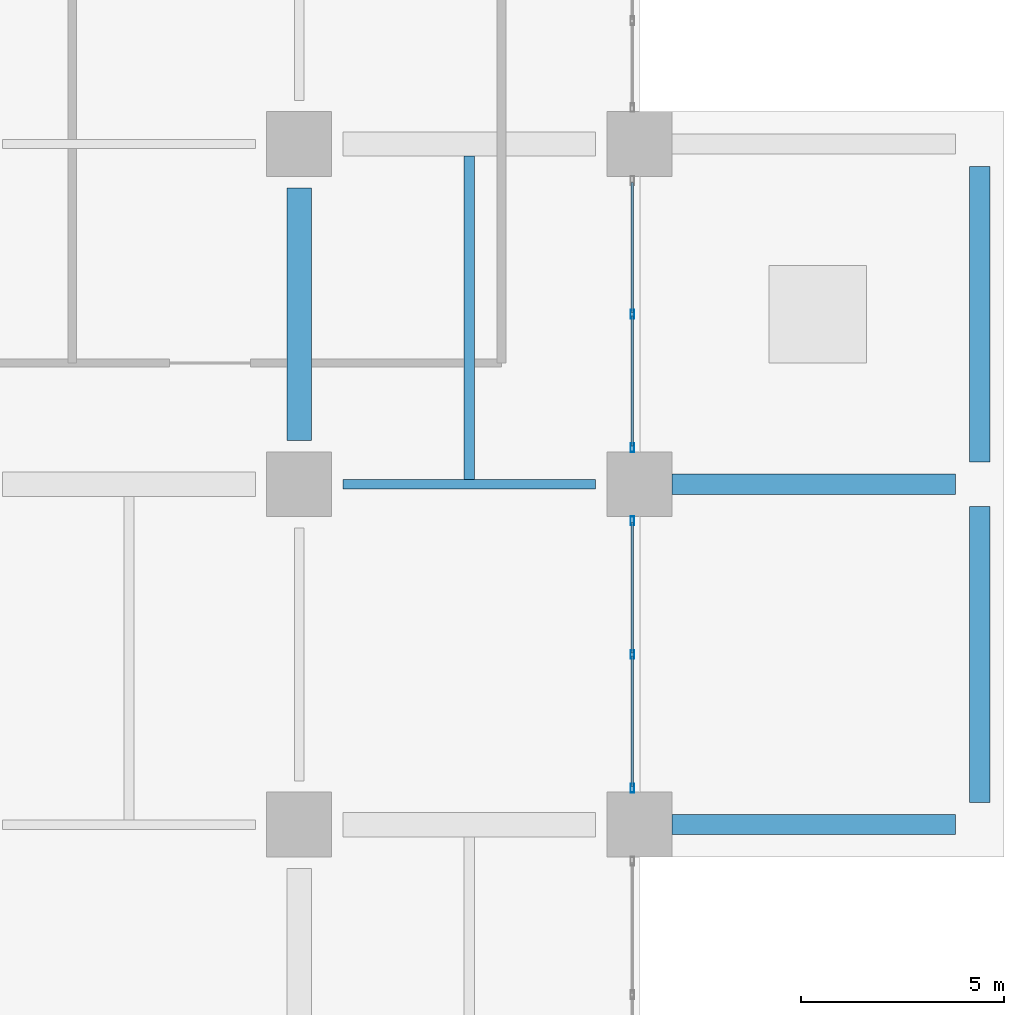
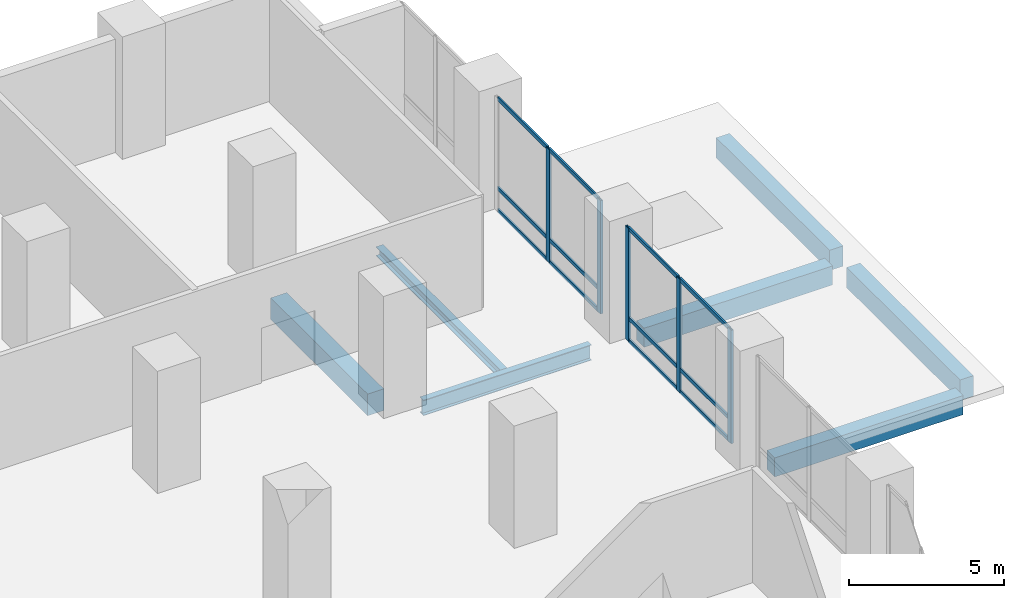
# One storey, part 5 of 22: 17 members, 7 beams, 2 elements without a shape of their own.
"""IFC4 building model written with IfcOpenShell, lengths in metres."""

from ifc_helpers import new_model, si_unit, direction, frame, origin, origin_2d, place, context, subcontext, project, spatial, rectangle, hollow_rectangle, i_section, extrude, material, layer, layer_set, material_profile, profile_set, type_object, element, aggregate, save


model = new_model("IFC4")

# Units and contexts
model_context = context("Model", 3, precision=1e-05, world=origin(), true_north=direction((0.0, 1.0)))
body_context = subcontext(model_context, "Body", "Model", "MODEL_VIEW")
ifc_project = project(units=[si_unit("LENGTHUNIT", "METRE"), si_unit("AREAUNIT", "SQUARE_METRE"), si_unit("VOLUMEUNIT", "CUBIC_METRE"), si_unit("PLANEANGLEUNIT", "RADIAN"), si_unit("MASSUNIT", "GRAM", prefix="KILO")], contexts=[model_context])

# Site, building, storey
site_placement = place(None, origin())
site = spatial("IfcSite", under=ifc_project, at=site_placement, CompositionType="ELEMENT")
building_placement = place(site_placement, origin())
building = spatial("IfcBuilding", under=site, at=building_placement, Name="Koriwani Terraces Tower", CompositionType="ELEMENT")
storey_placement = place(building_placement, frame((0.0, 0.0, 6.0)))
storey = spatial("IfcBuildingStorey", under=building, at=storey_placement, Name="L01", CompositionType="ELEMENT", Elevation=6.0)

# Beams
ifc_material_1 = material(Name="Concrete C50/60", Category="concrete")
ifc_material_profile_1 = material_profile(ifc_material_1, rectangle(XDim=0.5, YDim=0.75, at=origin_2d()), Name="Concrete C50/60", Category="LoadBearing")
ifc_profile_set_1 = profile_set([ifc_material_profile_1], Name="Concrete C50/60")
beam_type_1 = type_object("IfcBeamType", Name="BEAM_RC_GRID_500X750", PredefinedType="BEAM", material=ifc_profile_set_1)
for number, where, z_axis, x_axis, name in (
    (1, (93.199951171875, 16.800048828125, -0.655029296875), (1.0, 0.0, 0.0), (0.0, 1.0, 0.0), "Porte-Cochere Tie Beam 1"),
    (2, (93.199951171875, 25.199951171875, -0.655029296875), (1.0, 0.0, 0.0), (0.0, 1.0, 0.0), "Porte-Cochere Tie Beam 2"),
):
    element("IfcBeam", number, at=place(storey_placement, frame(where, z_axis=z_axis, x_axis=x_axis)), inside=storey, type_object=beam_type_1, Name=name, PredefinedType="BEAM", context=body_context, shape_type="SweptSolid", body=[
        extrude(rectangle(XDim=0.5, YDim=0.75, at=origin_2d()), origin(), (0.0, 0.0, 1.0), 7.0),
    ])
ifc_material_2 = material(Name="Concrete C60/75", Category="concrete")
ifc_material_profile_2 = material_profile(ifc_material_2, rectangle(XDim=0.60009765625, YDim=0.85009765625, at=origin_2d()), Name="Concrete C60/75", Category="LoadBearing")
ifc_profile_set_2 = profile_set([ifc_material_profile_2], Name="Concrete C60/75")
beam_type_2 = type_object("IfcBeamType", Name="BEAM_RC_GRID_600X850", PredefinedType="BEAM", material=ifc_profile_set_2)
beam_1_placement = place(storey_placement, frame((84.0, 26.280029296875, -0.77490234375), z_axis=(0.0, 1.0, 0.0), x_axis=(-1.0, 0.0, 0.0)))
element("IfcBeam", 3, at=beam_1_placement, inside=storey, type_object=beam_type_2, Name="L01 Grid Beam 11 (25.2-33.6m)", PredefinedType="BEAM", context=body_context, shape_type="SweptSolid", body=[
    extrude(rectangle(XDim=0.60009765625, YDim=0.85009765625, at=origin_2d()), origin(), (0.0, 0.0, 1.0), 6.239990234375),
])
ifc_material_profile_3 = material_profile(ifc_material_1, rectangle(XDim=0.5, YDim=0.800048828125, at=origin_2d()), Name="Concrete C50/60", Category="LoadBearing")
ifc_profile_set_3 = profile_set([ifc_material_profile_3], Name="Concrete C50/60")
beam_type_3 = type_object("IfcBeamType", Name="BEAM_RC_SPANDREL_500X800", PredefinedType="SPANDREL", material=ifc_profile_set_3)
beam_2_placement = place(storey_placement, frame((100.800048828125, 17.35009765625, -0.679931640625), z_axis=(0.0, 1.0, 0.0), x_axis=(-1.0, 0.0, 0.0)))
element("IfcBeam", 4, at=beam_2_placement, inside=storey, type_object=beam_type_3, Name="Porte-Cochere Canopy Edge Beam (16.8-25.2)", PredefinedType="SPANDREL", context=body_context, shape_type="SweptSolid", body=[
    extrude(rectangle(XDim=0.5, YDim=0.800048828125, at=origin_2d()), origin(), (0.0, 0.0, 1.0), 7.2998046875),
])
beam_3_placement = place(storey_placement, frame((100.800048828125, 25.75, -0.679931640625), z_axis=(0.0, 1.0, 0.0), x_axis=(-1.0, 0.0, 0.0)))
element("IfcBeam", 5, at=beam_3_placement, inside=storey, type_object=beam_type_3, Name="Porte-Cochere Canopy Edge Beam (25.2-33.6)", PredefinedType="SPANDREL", context=body_context, shape_type="SweptSolid", body=[
    extrude(rectangle(XDim=0.5, YDim=0.800048828125, at=origin_2d()), origin(), (0.0, 0.0, 1.0), 7.300048828125),
])

# Curtain wall, members
ifc_material_3 = material(Name="Anodised Bronze Aluminium", Category="aluminium")
ifc_layer = layer(ifc_material_3, 0.199951171875, Name="Anodised Bronze Aluminium")
ifc_layer_set = layer_set([ifc_layer], Name="Anodised Bronze Aluminium")
curtain_wall_type = type_object("IfcCurtainWallType", Name="CW_PODIUM_GALLERIA", PredefinedType="NOTDEFINED", material=ifc_layer_set)
curtain_wall_1_placement = place(storey_placement, origin())
curtain_wall_1 = element("IfcCurtainWall", 6, at=curtain_wall_1_placement, inside=storey, type_object=curtain_wall_type, Name="L01 Unitised Curtain Wall (E_TIP) Bay 2", PredefinedType="NOTDEFINED")
ifc_material_profile_4 = material_profile(ifc_material_3, hollow_rectangle(XDim=0.0849609375, YDim=0.219970703125, WallThickness=0.008056640625, at=origin_2d()), Name="Anodised Bronze Aluminium", Category="LoadBearing")
ifc_profile_set_4 = profile_set([ifc_material_profile_4], Name="Anodised Bronze Aluminium")
member_type_1 = type_object("IfcMemberType", Name="CW_MULLION_220X85", PredefinedType="MULLION", material=ifc_profile_set_4)
member_1_placement = place(storey_placement, frame((92.22509765625, 29.39990234375, 0.0), z_axis=(0.0, 0.0, 1.0), x_axis=(1.0, 0.0, 0.0)))
member_1 = element("IfcMember", 7, at=member_1_placement, type_object=member_type_1, Name="CW-POD mullion 2", PredefinedType="MULLION", context=body_context, shape_type="SweptSolid", body=[
    extrude(hollow_rectangle(XDim=0.0849609375, YDim=0.219970703125, WallThickness=0.008056640625, at=origin_2d()), origin(), (0.0, 0.0, 1.0), 4.449951171875),
])
member_2_placement = place(storey_placement, frame((92.22509765625, 26.1025390625, 0.0), z_axis=(0.0, 0.0, 1.0), x_axis=(1.0, 0.0, 0.0)))
member_2 = element("IfcMember", 8, at=member_2_placement, type_object=member_type_1, Name="CW-POD mullion 3", PredefinedType="MULLION", context=body_context, shape_type="SweptSolid", body=[
    extrude(hollow_rectangle(XDim=0.0849609375, YDim=0.219970703125, WallThickness=0.008056640625, at=origin_2d()), origin(), (0.0, 0.0, 1.0), 4.449951171875),
])

curtain_wall_2_placement = place(storey_placement, origin())
curtain_wall_2 = element("IfcCurtainWall", 9, at=curtain_wall_2_placement, inside=storey, type_object=curtain_wall_type, Name="L01 Unitised Curtain Wall (E_TIP) Bay 3", PredefinedType="NOTDEFINED")
member_3_placement = place(storey_placement, frame((92.22509765625, 24.297607421875, 0.0), z_axis=(0.0, 0.0, 1.0), x_axis=(1.0, 0.0, 0.0)))
member_3 = element("IfcMember", 10, at=member_3_placement, type_object=member_type_1, Name="CW-POD mullion 1", PredefinedType="MULLION", context=body_context, shape_type="SweptSolid", body=[
    extrude(hollow_rectangle(XDim=0.0849609375, YDim=0.219970703125, WallThickness=0.008056640625, at=origin_2d()), origin(), (0.0, 0.0, 1.0), 4.449951171875),
])
member_4_placement = place(storey_placement, frame((92.22509765625, 21.0, 0.0), z_axis=(0.0, 0.0, 1.0), x_axis=(1.0, 0.0, 0.0)))
member_4 = element("IfcMember", 11, at=member_4_placement, type_object=member_type_1, Name="CW-POD mullion 2", PredefinedType="MULLION", context=body_context, shape_type="SweptSolid", body=[
    extrude(hollow_rectangle(XDim=0.0849609375, YDim=0.219970703125, WallThickness=0.008056640625, at=origin_2d()), origin(), (0.0, 0.0, 1.0), 4.449951171875),
])
member_5_placement = place(storey_placement, frame((92.22509765625, 17.702392578125, 0.0), z_axis=(0.0, 0.0, 1.0), x_axis=(1.0, 0.0, 0.0)))
member_5 = element("IfcMember", 12, at=member_5_placement, type_object=member_type_1, Name="CW-POD mullion 3", PredefinedType="MULLION", context=body_context, shape_type="SweptSolid", body=[
    extrude(hollow_rectangle(XDim=0.0849609375, YDim=0.219970703125, WallThickness=0.008056640625, at=origin_2d()), origin(), (0.0, 0.0, 1.0), 4.449951171875),
])

# Member
ifc_material_profile_5 = material_profile(ifc_material_3, hollow_rectangle(XDim=0.06494140625, YDim=0.14990234375, WallThickness=0.0048828125, at=origin_2d()), Name="Anodised Bronze Aluminium", Category="LoadBearing")
ifc_profile_set_5 = profile_set([ifc_material_profile_5], Name="Anodised Bronze Aluminium")
member_type_2 = type_object("IfcMemberType", Name="CW_TRANSOM_150X65", PredefinedType="USERDEFINED", material=ifc_profile_set_5)
member_6_placement = place(storey_placement, frame((92.22509765625, 32.655029296875, 0.032470703125), z_axis=(0.0, -1.0, 0.0), x_axis=(1.0, 0.0, 0.0)))
member_6 = element("IfcMember", 13, at=member_6_placement, type_object=member_type_2, Name="CW-POD transom 1.1", ObjectType="TRANSOM", PredefinedType="USERDEFINED", context=body_context, shape_type="SweptSolid", body=[
    extrude(hollow_rectangle(XDim=0.06494140625, YDim=0.14990234375, WallThickness=0.0048828125, at=origin_2d()), origin(), (0.0, 0.0, 1.0), 3.212646484375),
])

member_7_placement = place(storey_placement, frame((92.22509765625, 32.655029296875, 0.89990234375), z_axis=(0.0, -1.0, 0.0), x_axis=(1.0, 0.0, 0.0)))
member_7 = element("IfcMember", 14, at=member_7_placement, type_object=member_type_2, Name="CW-POD transom 1.2", ObjectType="TRANSOM", PredefinedType="USERDEFINED", context=body_context, shape_type="SweptSolid", body=[
    extrude(hollow_rectangle(XDim=0.06494140625, YDim=0.14990234375, WallThickness=0.0048828125, at=origin_2d()), origin(), (0.0, 0.0, 1.0), 3.212646484375),
])

member_8_placement = place(storey_placement, frame((92.22509765625, 32.655029296875, 4.41748046875), z_axis=(0.0, -1.0, 0.0), x_axis=(1.0, 0.0, 0.0)))
member_8 = element("IfcMember", 15, at=member_8_placement, type_object=member_type_2, Name="CW-POD transom 1.3", ObjectType="TRANSOM", PredefinedType="USERDEFINED", context=body_context, shape_type="SweptSolid", body=[
    extrude(hollow_rectangle(XDim=0.06494140625, YDim=0.14990234375, WallThickness=0.0048828125, at=origin_2d()), origin(), (0.0, 0.0, 1.0), 3.212646484375),
])

member_9_placement = place(storey_placement, frame((92.22509765625, 29.357421875, 0.032470703125), z_axis=(0.0, -1.0, 0.0), x_axis=(1.0, 0.0, 0.0)))
member_9 = element("IfcMember", 16, at=member_9_placement, type_object=member_type_2, Name="CW-POD transom 2.1", ObjectType="TRANSOM", PredefinedType="USERDEFINED", context=body_context, shape_type="SweptSolid", body=[
    extrude(hollow_rectangle(XDim=0.06494140625, YDim=0.14990234375, WallThickness=0.0048828125, at=origin_2d()), origin(), (0.0, 0.0, 1.0), 3.21240234375),
])

member_10_placement = place(storey_placement, frame((92.22509765625, 29.357421875, 0.89990234375), z_axis=(0.0, -1.0, 0.0), x_axis=(1.0, 0.0, 0.0)))
member_10 = element("IfcMember", 17, at=member_10_placement, type_object=member_type_2, Name="CW-POD transom 2.2", ObjectType="TRANSOM", PredefinedType="USERDEFINED", context=body_context, shape_type="SweptSolid", body=[
    extrude(hollow_rectangle(XDim=0.06494140625, YDim=0.14990234375, WallThickness=0.0048828125, at=origin_2d()), origin(), (0.0, 0.0, 1.0), 3.21240234375),
])

member_11_placement = place(storey_placement, frame((92.22509765625, 29.357421875, 4.41748046875), z_axis=(0.0, -1.0, 0.0), x_axis=(1.0, 0.0, 0.0)))
member_11 = element("IfcMember", 18, at=member_11_placement, type_object=member_type_2, Name="CW-POD transom 2.3", ObjectType="TRANSOM", PredefinedType="USERDEFINED", context=body_context, shape_type="SweptSolid", body=[
    extrude(hollow_rectangle(XDim=0.06494140625, YDim=0.14990234375, WallThickness=0.0048828125, at=origin_2d()), origin(), (0.0, 0.0, 1.0), 3.21240234375),
])

aggregate(curtain_wall_1, [member_1, member_2, member_6, member_7, member_8, member_9, member_10, member_11])

member_12_placement = place(storey_placement, frame((92.22509765625, 24.2548828125, 0.032470703125), z_axis=(0.0, -1.0, 0.0), x_axis=(1.0, 0.0, 0.0)))
member_12 = element("IfcMember", 19, at=member_12_placement, type_object=member_type_2, Name="CW-POD transom 1.1", ObjectType="TRANSOM", PredefinedType="USERDEFINED", context=body_context, shape_type="SweptSolid", body=[
    extrude(hollow_rectangle(XDim=0.06494140625, YDim=0.14990234375, WallThickness=0.0048828125, at=origin_2d()), origin(), (0.0, 0.0, 1.0), 3.21240234375),
])

member_13_placement = place(storey_placement, frame((92.22509765625, 24.2548828125, 0.89990234375), z_axis=(0.0, -1.0, 0.0), x_axis=(1.0, 0.0, 0.0)))
member_13 = element("IfcMember", 20, at=member_13_placement, type_object=member_type_2, Name="CW-POD transom 1.2", ObjectType="TRANSOM", PredefinedType="USERDEFINED", context=body_context, shape_type="SweptSolid", body=[
    extrude(hollow_rectangle(XDim=0.06494140625, YDim=0.14990234375, WallThickness=0.0048828125, at=origin_2d()), origin(), (0.0, 0.0, 1.0), 3.21240234375),
])

member_14_placement = place(storey_placement, frame((92.22509765625, 24.2548828125, 4.41748046875), z_axis=(0.0, -1.0, 0.0), x_axis=(1.0, 0.0, 0.0)))
member_14 = element("IfcMember", 21, at=member_14_placement, type_object=member_type_2, Name="CW-POD transom 1.3", ObjectType="TRANSOM", PredefinedType="USERDEFINED", context=body_context, shape_type="SweptSolid", body=[
    extrude(hollow_rectangle(XDim=0.06494140625, YDim=0.14990234375, WallThickness=0.0048828125, at=origin_2d()), origin(), (0.0, 0.0, 1.0), 3.21240234375),
])

member_15_placement = place(storey_placement, frame((92.22509765625, 20.95751953125, 0.032470703125), z_axis=(0.0, -1.0, 0.0), x_axis=(1.0, 0.0, 0.0)))
member_15 = element("IfcMember", 22, at=member_15_placement, type_object=member_type_2, Name="CW-POD transom 2.1", ObjectType="TRANSOM", PredefinedType="USERDEFINED", context=body_context, shape_type="SweptSolid", body=[
    extrude(hollow_rectangle(XDim=0.06494140625, YDim=0.14990234375, WallThickness=0.0048828125, at=origin_2d()), origin(), (0.0, 0.0, 1.0), 3.21240234375),
])

member_16_placement = place(storey_placement, frame((92.22509765625, 20.95751953125, 0.89990234375), z_axis=(0.0, -1.0, 0.0), x_axis=(1.0, 0.0, 0.0)))
member_16 = element("IfcMember", 23, at=member_16_placement, type_object=member_type_2, Name="CW-POD transom 2.2", ObjectType="TRANSOM", PredefinedType="USERDEFINED", context=body_context, shape_type="SweptSolid", body=[
    extrude(hollow_rectangle(XDim=0.06494140625, YDim=0.14990234375, WallThickness=0.0048828125, at=origin_2d()), origin(), (0.0, 0.0, 1.0), 3.21240234375),
])

member_17_placement = place(storey_placement, frame((92.22509765625, 20.95751953125, 4.41748046875), z_axis=(0.0, -1.0, 0.0), x_axis=(1.0, 0.0, 0.0)))
member_17 = element("IfcMember", 24, at=member_17_placement, type_object=member_type_2, Name="CW-POD transom 2.3", ObjectType="TRANSOM", PredefinedType="USERDEFINED", context=body_context, shape_type="SweptSolid", body=[
    extrude(hollow_rectangle(XDim=0.06494140625, YDim=0.14990234375, WallThickness=0.0048828125, at=origin_2d()), origin(), (0.0, 0.0, 1.0), 3.21240234375),
])

aggregate(curtain_wall_2, [member_3, member_4, member_5, member_12, member_13, member_14, member_15, member_16, member_17])

# Beams
ifc_material_4 = material(Name="Steel ASTM A572 Grade 50", Category="steel")
ifc_material_profile_6 = material_profile(ifc_material_4, i_section(OverallWidth=0.257080078125, OverallDepth=0.363037109375, WebThickness=0.012939453125, FlangeThickness=0.021728515625, at=origin_2d()), Name="Steel ASTM A572 Grade 50", Category="LoadBearing")
ifc_profile_set_6 = profile_set([ifc_material_profile_6], Name="Steel ASTM A572 Grade 50")
beam_type_4 = type_object("IfcBeamType", Name="STEEL_BEAM_W360X122", PredefinedType="JOIST", material=ifc_profile_set_6)
beam_4_placement = place(storey_placement, frame((88.199951171875, 25.304443359375, -0.531494140625), z_axis=(0.0, 1.0, 0.0), x_axis=(-1.0, 0.0, 0.0)))
element("IfcBeam", 25, at=beam_4_placement, inside=storey, type_object=beam_type_4, Name="L01 Secondary Steel Floor Joist X=88.2m", PredefinedType="JOIST", context=body_context, shape_type="SweptSolid", body=[
    extrude(i_section(OverallWidth=0.257080078125, OverallDepth=0.363037109375, WebThickness=0.012939453125, FlangeThickness=0.021728515625, at=origin_2d()), origin(), (0.0, 0.0, 1.0), 8.005615234375),
])
ifc_material_profile_7 = material_profile(ifc_material_4, i_section(OverallWidth=0.22900390625, OverallDepth=0.611083984375, WebThickness=0.0126953125, FlangeThickness=0.022216796875, at=origin_2d()), Name="Steel ASTM A572 Grade 50", Category="LoadBearing")
ifc_profile_set_7 = profile_set([ifc_material_profile_7], Name="Steel ASTM A572 Grade 50")
beam_type_5 = type_object("IfcBeamType", Name="STEEL_BEAM_W610X155", PredefinedType="BEAM", material=ifc_profile_set_7)
beam_5_placement = place(storey_placement, frame((85.080078125, 25.199951171875, -0.655517578125), z_axis=(1.0, 0.0, 0.0), x_axis=(0.0, 1.0, 0.0)))
element("IfcBeam", 26, at=beam_5_placement, inside=storey, type_object=beam_type_5, Name="L01 Grid Beam D (84.0-92.4m)", PredefinedType="BEAM", context=body_context, shape_type="SweptSolid", body=[
    extrude(i_section(OverallWidth=0.22900390625, OverallDepth=0.611083984375, WebThickness=0.0126953125, FlangeThickness=0.022216796875, at=origin_2d()), origin(), (0.0, 0.0, 1.0), 6.239990234375),
])

save(model, "model.ifc")
